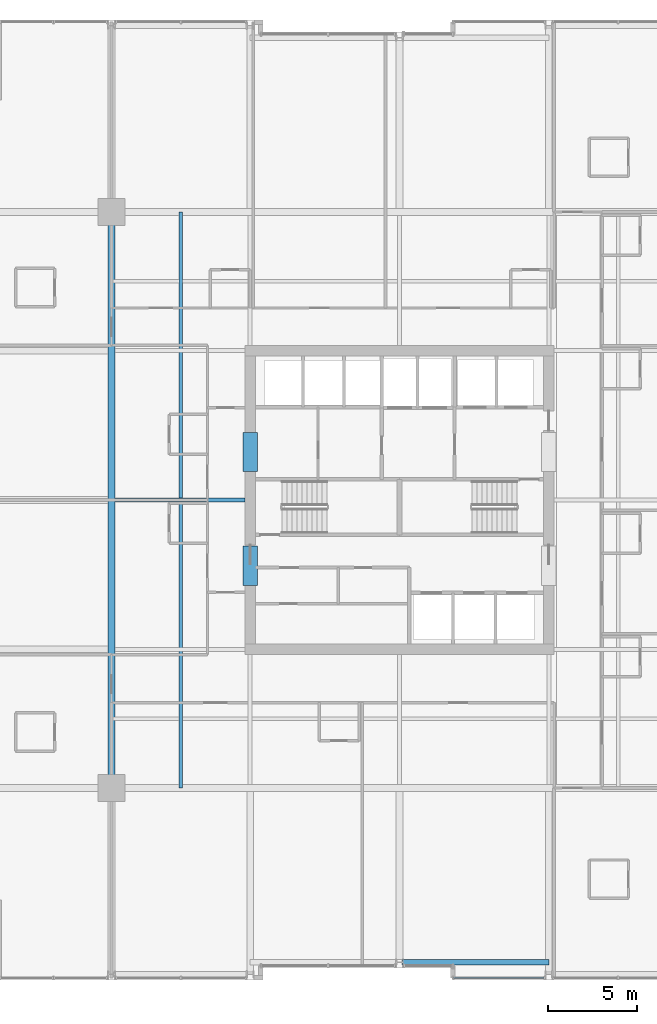
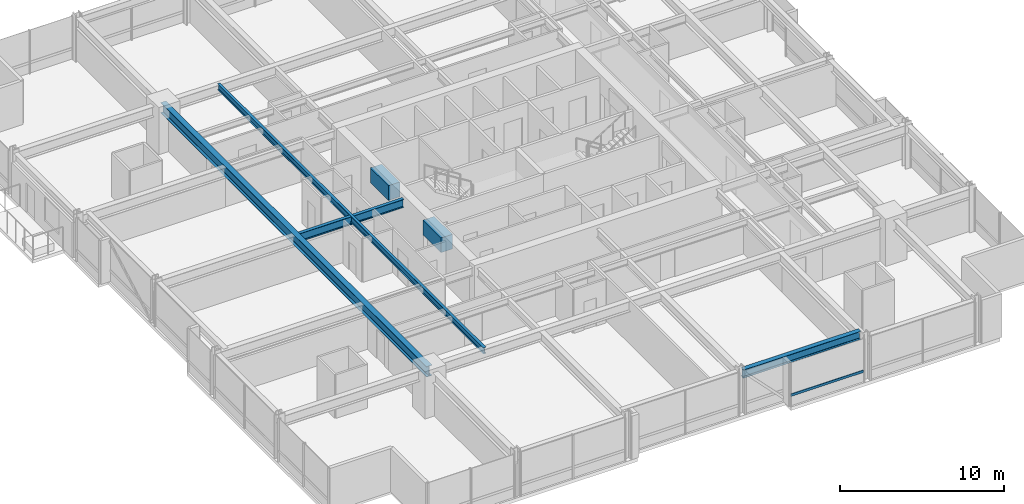
# One storey, part 10 of 34: 6 beams, 1 member, 1 element without a shape of its own.
"""IFC4 building model written with IfcOpenShell, lengths in metres."""

import ifcopenshell
import ifcopenshell.guid

model = None  # the IFC model being written
_history = None  # IfcOwnerHistory: only IFC2X3 demands one
_inside = {}  # id of a spatial element -> (the spatial element, [elements in it])
_under = {}  # id of a project, library or spatial element -> (it, [spatial elements below it])
_declared = {}  # id of a project -> (the project, [libraries it declares])
_typed = {}  # id of a type object -> (the type object, [elements of that type])
_made_of = {}  # id of a material, layer set ... -> (it, [elements and type objects made of it])


def new_model(schema):
    """Start an empty IFC model of exactly this schema.

    Asked for "IFC4X3", IfcOpenShell would pick the latest addendum, in which some entities
    have other attributes; the version numbers below select the first issue.
    IFC2X3 requires an IfcOwnerHistory on every rooted entity: one is made here for all.
    """
    global model, _history
    if schema == "IFC4X3":
        model = ifcopenshell.file(schema_version=(4, 3, 0, 0))
    else:
        model = ifcopenshell.file(schema=schema)
    _inside.clear()
    _under.clear()
    _declared.clear()
    _typed.clear()
    _made_of.clear()
    _history = None
    if model.schema == "IFC2X3":
        org = make("IfcOrganization", Name="unknown")
        user = make(
            "IfcPersonAndOrganization",
            ThePerson=make("IfcPerson", FamilyName="unknown"),
            TheOrganization=org,
        )
        app = make(
            "IfcApplication",
            ApplicationDeveloper=org,
            Version="unknown",
            ApplicationFullName="unknown",
            ApplicationIdentifier="unknown",
        )
        _history = make(
            "IfcOwnerHistory",
            OwningUser=user,
            OwningApplication=app,
            ChangeAction="ADDED",
            CreationDate=0,
        )
    return model


def make(cls, **values):
    """One entity of the class cls with the attributes given. An attribute that is None is left unset."""
    return model.create_entity(
        cls, **{name: value for name, value in values.items() if value is not None}
    )


def rooted(cls, **values):
    """An entity with a GlobalId (a new one), such as an element, a storey or a relation."""
    return make(cls, GlobalId=ifcopenshell.guid.new(), OwnerHistory=_history, **values)


def si_unit(unit_type, name, prefix=None):
    """IfcSIUnit, for example si_unit("LENGTHUNIT", "METRE", prefix="MILLI")."""
    return make("IfcSIUnit", UnitType=unit_type, Prefix=prefix, Name=name)


def assignment(units):
    """IfcUnitAssignment: the units of a project."""
    return None if units is None else make("IfcUnitAssignment", Units=units)


def point(xyz):
    """IfcCartesianPoint."""
    return None if xyz is None else make("IfcCartesianPoint", Coordinates=xyz)


def direction(xyz):
    """IfcDirection."""
    return None if xyz is None else make("IfcDirection", DirectionRatios=xyz)


def frame(location, z_axis=None, x_axis=None):
    """IfcAxis2Placement3D, a coordinate frame: its origin and axes. An axis left out is left unset."""
    return make(
        "IfcAxis2Placement3D",
        Location=point(location),
        Axis=direction(z_axis),
        RefDirection=direction(x_axis),
    )


def frame_2d(location, x_axis=None):
    """IfcAxis2Placement2D, a coordinate frame in the plane: its origin and x axis."""
    return make(
        "IfcAxis2Placement2D", Location=point(location), RefDirection=direction(x_axis)
    )


def origin():
    """The frame at (0, 0, 0) with its axes left unset."""
    return frame((0.0, 0.0, 0.0))


def origin_2d():
    """The frame at (0, 0) in the plane with its x axis left unset."""
    return frame_2d((0.0, 0.0))


def place(relative_to, where):
    """IfcLocalPlacement: puts the frame where relative to a parent placement (None: the world)."""
    return make(
        "IfcLocalPlacement", PlacementRelTo=relative_to, RelativePlacement=where
    )


def context(
    kind, dimensions, precision=None, world=None, true_north=None, identifier=None
):
    """IfcGeometricRepresentationContext, for example the 3D "Model" context."""
    return make(
        "IfcGeometricRepresentationContext",
        ContextIdentifier=identifier,
        ContextType=kind,
        CoordinateSpaceDimension=dimensions,
        Precision=precision,
        WorldCoordinateSystem=world,
        TrueNorth=true_north,
    )


def subcontext(parent, identifier, kind, view, scale=None):
    """IfcGeometricRepresentationSubContext, for example "Body" below "Model"."""
    return make(
        "IfcGeometricRepresentationSubContext",
        ContextIdentifier=identifier,
        ContextType=kind,
        ParentContext=parent,
        TargetScale=scale,
        TargetView=view,
    )


def project(units=None, contexts=None):
    """IfcProject with its units and contexts."""
    return rooted(
        "IfcProject",
        Name="project",
        RepresentationContexts=contexts,
        UnitsInContext=assignment(units),
    )


def spatial(cls, under=None, at=None, **own):
    """A site, building, storey or space (cls), placed at a placement, below another one or the project."""
    s = rooted(cls, ObjectPlacement=at, **own)
    if under is not None:
        _under.setdefault(under.id(), (under, []))[1].append(s)
    return s


def profile(cls, at=None, kind="AREA", **sizes):
    """A parametric profile (cls). Its sizes go by their IFC names, for example OverallWidth=200.0."""
    return make(cls, ProfileType=kind, Position=at, **sizes)


def rectangle(**sizes):
    """IfcRectangleProfileDef."""
    return profile("IfcRectangleProfileDef", **sizes)


def hollow_rectangle(**sizes):
    """IfcRectangleHollowProfileDef."""
    return profile("IfcRectangleHollowProfileDef", **sizes)


def i_section(**sizes):
    """IfcIShapeProfileDef."""
    return profile("IfcIShapeProfileDef", **sizes)


def extrude(swept, where, along, depth):
    """IfcExtrudedAreaSolid: the profile swept, set in the frame where, extruded along a direction by depth."""
    return make(
        "IfcExtrudedAreaSolid",
        SweptArea=swept,
        Position=where,
        ExtrudedDirection=direction(along),
        Depth=depth,
    )


def shape(context_of_items, identifier, shape_type, items):
    """IfcShapeRepresentation: the items that make up one representation, for example the "Body"."""
    return make(
        "IfcShapeRepresentation",
        ContextOfItems=context_of_items,
        RepresentationIdentifier=identifier,
        RepresentationType=shape_type,
        Items=items,
    )


def material(Name=None, Category=None):
    """IfcMaterial."""
    return make("IfcMaterial", Name=Name, Category=Category)


def layer(
    of_material, thickness, ventilated=None, Name=None, Category=None, Priority=None
):
    """IfcMaterialLayer: one layer of a wall or slab, of a material (None: an air gap)."""
    return make(
        "IfcMaterialLayer",
        Material=of_material,
        LayerThickness=thickness,
        IsVentilated=ventilated,
        Name=Name,
        Category=Category,
        Priority=Priority,
    )


def layer_set(layers, Name=None):
    """IfcMaterialLayerSet."""
    return make("IfcMaterialLayerSet", MaterialLayers=layers, LayerSetName=Name)


def material_profile(
    of_material, cross_section, Name=None, Category=None, Priority=None
):
    """IfcMaterialProfile: a cross section and its material."""
    return make(
        "IfcMaterialProfile",
        Name=Name,
        Material=of_material,
        Profile=cross_section,
        Priority=Priority,
        Category=Category,
    )


def profile_set(profiles, Name=None, composite=None):
    """IfcMaterialProfileSet."""
    return make(
        "IfcMaterialProfileSet",
        Name=Name,
        MaterialProfiles=profiles,
        CompositeProfile=composite,
    )


def made_of(thing, what):
    """Note that an element or type object is made of a material, layer set ...; save() writes the relation."""
    if what is not None:
        _made_of.setdefault(what.id(), (what, []))[1].append(thing)
    return thing


def type_object(cls, material=None, **own):
    """A type object (cls), such as IfcWallType, which elements share."""
    return made_of(rooted(cls, **own), material)


def element(
    cls,
    number,
    at=None,
    inside=None,
    cuts=None,
    type_object=None,
    material=None,
    context=None,
    identifier="Body",
    shape_type=None,
    held_by="IfcProductDefinitionShape",
    body=None,
    shapes=None,
    **own,
):
    """One element of the class cls, such as IfcWall. Its Tag is "e" and its number.

    at: its placement. inside: the storey or other place that contains it. cuts: it is an
    opening in that element (IfcRelVoidsElement). A single representation is given by context,
    identifier, shape_type and body (its items); several are given by shapes. held_by: the class
    of the entity that holds the representations. save() writes the other relations.
    """
    e = rooted(cls, Tag="e%d" % number, ObjectPlacement=at, **own)
    if body is not None:
        shapes = [shape(context, identifier, shape_type, body)]
    if shapes is not None:
        e.Representation = make(held_by, Representations=shapes)
    if inside is not None:
        _inside.setdefault(inside.id(), (inside, []))[1].append(e)
    if cuts is not None:
        rooted(
            "IfcRelVoidsElement", RelatingBuildingElement=cuts, RelatedOpeningElement=e
        )
    if type_object is not None:
        _typed.setdefault(type_object.id(), (type_object, []))[1].append(e)
    return made_of(e, material)


def aggregate(whole, parts):
    """IfcRelAggregates: a whole, such as a stair, and the parts it consists of."""
    return rooted("IfcRelAggregates", RelatingObject=whole, RelatedObjects=parts)


def save(model, path):
    """Write the relations noted so far, then the file.

    IfcRelAggregates (storeys below a building ...), IfcRelContainedInSpatialStructure (elements
    in a storey), IfcRelDefinesByType, IfcRelAssociatesMaterial and IfcRelDeclares: one each for
    every whole, place, type object, material and project.
    """
    for whole, parts in _under.values():
        aggregate(whole, parts)
    for where, things in _inside.values():
        rooted(
            "IfcRelContainedInSpatialStructure",
            RelatedElements=things,
            RelatingStructure=where,
        )
    for kind, things in _typed.values():
        rooted("IfcRelDefinesByType", RelatedObjects=things, RelatingType=kind)
    for what, things in _made_of.values():
        rooted("IfcRelAssociatesMaterial", RelatedObjects=things, RelatingMaterial=what)
    for by, libraries in _declared.values():
        rooted("IfcRelDeclares", RelatingContext=by, RelatedDefinitions=libraries)
    model.write(path)


model = new_model("IFC4")

# Units and contexts
model_context = context("Model", 3, precision=1e-05, world=origin(), true_north=direction((0.0, 1.0)))
body_context = subcontext(model_context, "Body", "Model", "MODEL_VIEW")
ifc_project = project(units=[si_unit("LENGTHUNIT", "METRE"), si_unit("AREAUNIT", "SQUARE_METRE"), si_unit("VOLUMEUNIT", "CUBIC_METRE"), si_unit("PLANEANGLEUNIT", "RADIAN"), si_unit("MASSUNIT", "GRAM", prefix="KILO")], contexts=[model_context])

# Site, building, storey
site_placement = place(None, origin())
site = spatial("IfcSite", under=ifc_project, at=site_placement, CompositionType="ELEMENT")
building_placement = place(site_placement, origin())
building = spatial("IfcBuilding", under=site, at=building_placement, Name="Drelvath Grand Hotel", CompositionType="ELEMENT")
storey_placement = place(building_placement, frame((0.0, 0.0, 102.300048828125)))
storey = spatial("IfcBuildingStorey", under=building, at=storey_placement, Name="L25", CompositionType="ELEMENT", Elevation=102.300048828125)

# Beams
ifc_material_1 = material(Name="Steel ASTM A992 Gr 50", Category="steel")
ifc_material_profile_1 = material_profile(ifc_material_1, i_section(OverallWidth=0.19140625, OverallDepth=0.4599609375, WebThickness=0.010009765625, FlangeThickness=0.01611328125, FilletRadius=0.01611328125, at=origin_2d()), Name="W18X55")
ifc_profile_set_1 = profile_set([ifc_material_profile_1], Name="Steel ASTM A992 Gr 50")
beam_type_1 = type_object("IfcBeamType", Name="Composite Floor Joist W18X55", PredefinedType="JOIST", material=ifc_profile_set_1)
beam_1_placement = place(storey_placement, frame((-12.300048828125, 10.800048828125, 3.010009765625), z_axis=(0.0, 1.0, 0.0), x_axis=(-1.0, 0.0, 0.0)))
element("IfcBeam", 1, at=beam_1_placement, inside=storey, type_object=beam_type_1, Name="L25 Wing Floor Joist J3", PredefinedType="JOIST", context=body_context, shape_type="SweptSolid", body=[
    extrude(i_section(OverallWidth=0.19140625, OverallDepth=0.4599609375, WebThickness=0.010009765625, FlangeThickness=0.01611328125, FilletRadius=0.01611328125, at=origin_2d()), origin(), (0.0, 0.0, 1.0), 32.39990234375),
])
ifc_material_2 = material(Name="Concrete f'c 70 MPa", Category="concrete")
ifc_material_profile_2 = material_profile(ifc_material_2, rectangle(XDim=0.800048828125, YDim=1.10009765625, at=origin_2d()), Name="CB800X1100")
ifc_profile_set_2 = profile_set([ifc_material_profile_2], Name="Concrete f'c 70 MPa")
beam_type_2 = type_object("IfcBeamType", Name="Core Coupling Lintel CB800X1100", PredefinedType="LINTEL", material=ifc_profile_set_2)
for number, where, z_axis, x_axis, name in (
    (2, (-8.39990234375, 22.199951171875, 2.68994140625), (0.0, 1.0, 0.0), (-1.0, 0.0, 0.0), "L25 Core Coupling Lintel WS"),
    (3, (-8.39990234375, 28.60009765625, 2.68994140625), (0.0, 1.0, 0.0), (-1.0, 0.0, 0.0), "L25 Core Coupling Lintel WN"),
):
    element("IfcBeam", number, at=place(storey_placement, frame(where, z_axis=z_axis, x_axis=x_axis)), inside=storey, type_object=beam_type_2, Name=name, PredefinedType="LINTEL", context=body_context, shape_type="SweptSolid", body=[
        extrude(rectangle(XDim=0.800048828125, YDim=1.10009765625, at=origin_2d()), origin(), (0.0, 0.0, 1.0), 2.199951171875),
    ])

# Curtain wall, member
ifc_material_3 = material(Name="Champagne Bronze Anodised Aluminium Frame", Category="aluminium")
ifc_layer = layer(ifc_material_3, 0.199951171875)
ifc_layer_set = layer_set([ifc_layer], Name="Champagne Bronze Anodised Aluminium Frame")
curtain_wall_type = type_object("IfcCurtainWallType", Name="Stick Curtain Wall CW-03 Champagne Bronze Mid-Rise", PredefinedType="NOTDEFINED", material=ifc_layer_set)
curtain_wall_placement = place(storey_placement, origin())
curtain_wall = element("IfcCurtainWall", 4, at=curtain_wall_placement, inside=storey, type_object=curtain_wall_type, Name="L25 CW-03 Curtain Wall CW03-L25-SE1", PredefinedType="NOTDEFINED")
ifc_material_profile_3 = material_profile(ifc_material_3, hollow_rectangle(XDim=0.074951171875, YDim=0.179931640625, WallThickness=0.0048828125, at=origin_2d()), Name="HSS180X75X5")
ifc_profile_set_3 = profile_set([ifc_material_profile_3], Name="Champagne Bronze Anodised Aluminium Frame")
member_type = type_object("IfcMemberType", Name="Curtain Wall Horizontal Transom CW-03 HSS180X75X5", PredefinedType="USERDEFINED", material=ifc_profile_set_3)
member_placement = place(storey_placement, frame((8.140380859375, 0.1201171875, 0.81005859375), z_axis=(-1.0, 0.0, 0.0), x_axis=(0.0, -1.0, 0.0)))
member = element("IfcMember", 5, at=member_placement, type_object=member_type, Name="CW03-L25-SE1 Sill Transom", ObjectType="TRANSOM", PredefinedType="USERDEFINED", context=body_context, shape_type="SweptSolid", body=[
    extrude(hollow_rectangle(XDim=0.074951171875, YDim=0.179931640625, WallThickness=0.0048828125, at=origin_2d()), origin(), (0.0, 0.0, 1.0), 5.100341796875),
])
aggregate(curtain_wall, [member])

# Beams
ifc_material_profile_4 = material_profile(ifc_material_1, i_section(OverallWidth=0.323974609375, OverallDepth=0.611083984375, WebThickness=0.0126953125, FlangeThickness=0.01904296875, FilletRadius=0.02197265625, at=origin_2d()), Name="W24X104")
ifc_profile_set_4 = profile_set([ifc_material_profile_4], Name="Steel ASTM A992 Gr 50")
beam_type_3 = type_object("IfcBeamType", Name="Perimeter Spandrel Beam W24X104", PredefinedType="SPANDREL", material=ifc_profile_set_4)
beam_2_placement = place(storey_placement, frame((0.139892578125, 1.0, 2.9345703125), z_axis=(1.0, 0.0, 0.0), x_axis=(0.0, 1.0, 0.0)))
element("IfcBeam", 6, at=beam_2_placement, inside=storey, type_object=beam_type_3, Name="L25 Spandrel South Mid E", PredefinedType="SPANDREL", context=body_context, shape_type="SweptSolid", body=[
    extrude(i_section(OverallWidth=0.323974609375, OverallDepth=0.611083984375, WebThickness=0.0126953125, FlangeThickness=0.01904296875, FilletRadius=0.02197265625, at=origin_2d()), origin(), (0.0, 0.0, 1.0), 8.260009765625),
])
ifc_material_profile_5 = material_profile(ifc_material_1, i_section(OverallWidth=0.228271484375, OverallDepth=0.607666015625, WebThickness=0.01123046875, FlangeThickness=0.017333984375, FilletRadius=0.02001953125, at=origin_2d()), Name="W24X76")
ifc_profile_set_5 = profile_set([ifc_material_profile_5], Name="Steel ASTM A992 Gr 50")
beam_type_4 = type_object("IfcBeamType", Name="Primary Floor Girder W24X76", PredefinedType="BEAM", material=ifc_profile_set_5)
beam_3_placement = place(storey_placement, frame((-16.009765625, 27.0, 2.93603515625), z_axis=(1.0, 0.0, 0.0), x_axis=(0.0, 1.0, 0.0)))
element("IfcBeam", 7, at=beam_3_placement, inside=storey, type_object=beam_type_4, Name="L25 West Core Tie E", PredefinedType="BEAM", context=body_context, shape_type="SweptSolid", body=[
    extrude(i_section(OverallWidth=0.228271484375, OverallDepth=0.607666015625, WebThickness=0.01123046875, FlangeThickness=0.017333984375, FilletRadius=0.02001953125, at=origin_2d()), origin(), (0.0, 0.0, 1.0), 7.309814453125),
])
ifc_material_profile_6 = material_profile(ifc_material_1, i_section(OverallWidth=0.380615234375, OverallDepth=0.773193359375, WebThickness=0.0166015625, FlangeThickness=0.027099609375, FilletRadius=0.02490234375, at=origin_2d()), Name="W30X173")
ifc_profile_set_6 = profile_set([ifc_material_profile_6], Name="Steel ASTM A992 Gr 50")
beam_type_5 = type_object("IfcBeamType", Name="Primary Floor Girder W30X173", PredefinedType="BEAM", material=ifc_profile_set_6)
beam_4_placement = place(storey_placement, frame((-16.199951171875, 10.800048828125, 2.853271484375), z_axis=(0.0, 1.0, 0.0), x_axis=(-1.0, 0.0, 0.0)))
element("IfcBeam", 8, at=beam_4_placement, inside=storey, type_object=beam_type_5, Name="L25 Mega Ring Girder West", PredefinedType="BEAM", context=body_context, shape_type="SweptSolid", body=[
    extrude(i_section(OverallWidth=0.380615234375, OverallDepth=0.773193359375, WebThickness=0.0166015625, FlangeThickness=0.027099609375, FilletRadius=0.02490234375, at=origin_2d()), origin(), (0.0, 0.0, 1.0), 32.39990234375),
])

save(model, "model.ifc")
